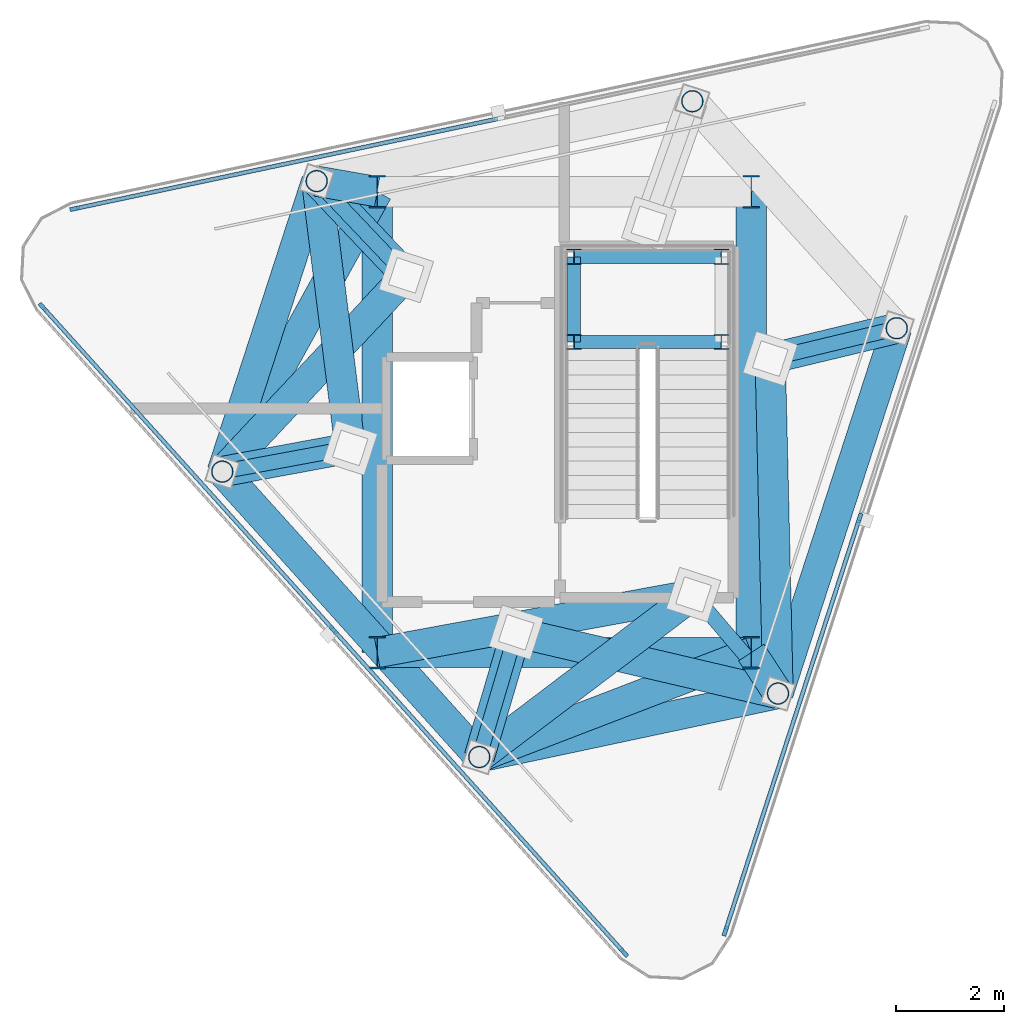
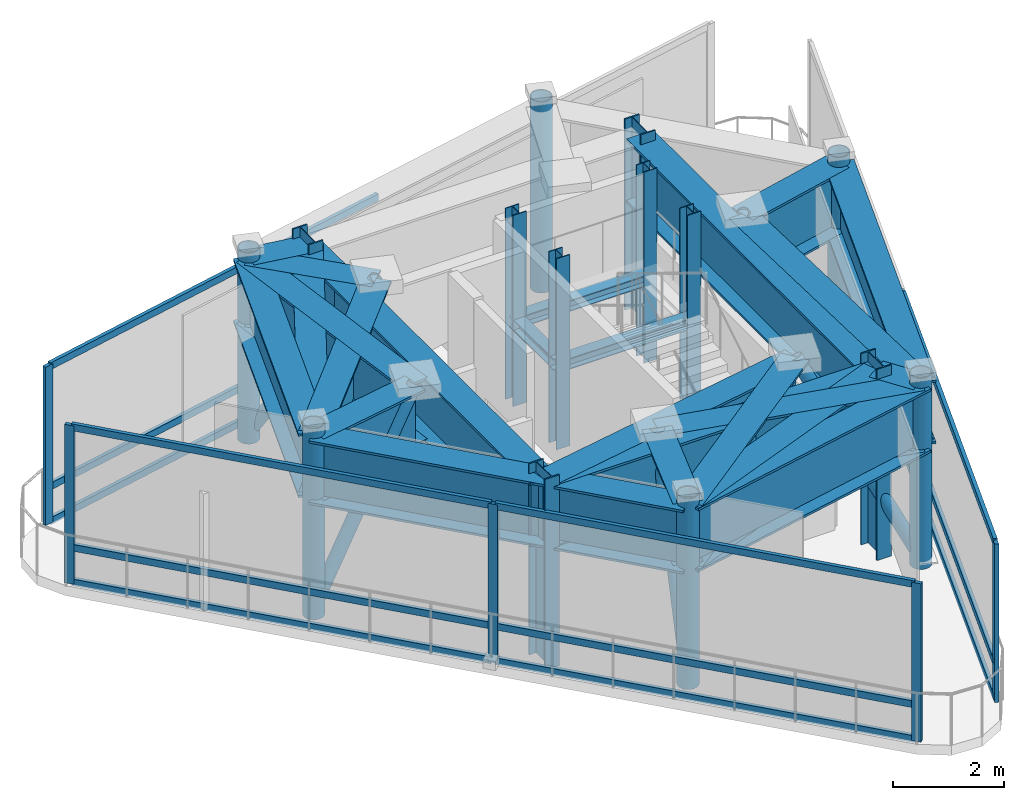
# One storey, part 1 of 4: 24 beams, 23 members, 14 columns, 3 elements without a shape of their own.
"""IFC4 building model written with IfcOpenShell, lengths in metres."""

from ifc_helpers import new_model, si_unit, direction, frame, origin, origin_2d, place, context, subcontext, project, spatial, rectangle, hollow_circle, i_section, extrude, material, layer, layer_set, material_profile, profile_set, type_object, element, aggregate, save


model = new_model("IFC4")

# Units and contexts
model_context = context("Model", 3, precision=1e-05, world=origin(), true_north=direction((0.0, 1.0)))
body_context = subcontext(model_context, "Body", "Model", "MODEL_VIEW")
ifc_project = project(units=[si_unit("LENGTHUNIT", "METRE"), si_unit("AREAUNIT", "SQUARE_METRE"), si_unit("VOLUMEUNIT", "CUBIC_METRE"), si_unit("PLANEANGLEUNIT", "RADIAN"), si_unit("MASSUNIT", "GRAM", prefix="KILO")], contexts=[model_context])

# Site, building, storey
site_placement = place(None, origin())
site = spatial("IfcSite", under=ifc_project, at=site_placement, CompositionType="ELEMENT")
building_placement = place(site_placement, origin())
building = spatial("IfcBuilding", under=site, at=building_placement, Name="Terralouvre Media Tower", CompositionType="ELEMENT")
storey_placement = place(building_placement, frame((0.0, 0.0, 335.0)))
storey = spatial("IfcBuildingStorey", under=building, at=storey_placement, Name="L86", CompositionType="ELEMENT", Elevation=335.0)

# Columns
ifc_material_1 = material(Name="Structural steel S355J2", Category="steel")
ifc_material_profile_1 = material_profile(ifc_material_1, i_section(OverallWidth=0.280029296875, OverallDepth=0.280029296875, WebThickness=0.010498046875, FlangeThickness=0.01806640625, at=origin_2d()), Name="HEB 280")
ifc_profile_set_1 = profile_set([ifc_material_profile_1], Name="Structural steel S355J2")
column_type_1 = type_object("IfcColumnType", Name="Basement Aisle Pilaster PL-HEB280 (HEB 280)", PredefinedType="PILASTER", material=ifc_profile_set_1)
for number, where, z_axis, x_axis, name in (
    (1, (0.179931640625, 1.47998046875, 0.0), (0.0, 0.0, 1.0), (1.0, 0.0, 0.0), "L86 Crown Stair Landing Post ST5LP1"),
    (2, (2.89990234375, 1.47998046875, 0.0), (0.0, 0.0, 1.0), (1.0, 0.0, 0.0), "L86 Crown Stair Landing Post ST5LP2"),
    (3, (0.179931640625, 3.050048828125, 0.0), (0.0, 0.0, 1.0), (1.0, 0.0, 0.0), "L86 Crown Stair Landing Post ST5LP3"),
    (4, (2.89990234375, 3.050048828125, 0.0), (0.0, 0.0, 1.0), (1.0, 0.0, 0.0), "L86 Crown Stair Landing Post ST5LP4"),
):
    element("IfcColumn", number, at=place(storey_placement, frame(where, z_axis=z_axis, x_axis=x_axis)), inside=storey, type_object=column_type_1, Name=name, PredefinedType="PILASTER", context=body_context, shape_type="SweptSolid", body=[
        extrude(i_section(OverallWidth=0.280029296875, OverallDepth=0.280029296875, WebThickness=0.010498046875, FlangeThickness=0.01806640625, at=origin_2d()), origin(), (0.0, 0.0, 1.0), 4.199951171875),
    ])
ifc_material_2 = material(Name="Structural steel S460M", Category="steel")
ifc_material_profile_2 = material_profile(ifc_material_2, hollow_circle(Radius=0.203125, WallThickness=0.02001953125, at=origin_2d()), Name="CHS 406.4x20")
ifc_profile_set_2 = profile_set([ifc_material_profile_2], Name="Structural steel S460M")
column_type_2 = type_object("IfcColumnType", Name="Structural Column C-CHS406 (CHS 406.4x20)", PredefinedType="COLUMN", material=ifc_profile_set_2)
for number, where, z_axis, x_axis, name in (
    (5, (3.94384765625, -5.005615234375, 0.0), (0.0, 0.0, 1.0), (0.309016994375, 0.951056516295, 0.0), "L86 Perimeter Mega-Column CC11"),
    (6, (6.1328125, 1.731689453125, 0.0), (0.0, 0.0, 1.0), (0.309016994375, 0.951056516295, 0.0), "L86 Perimeter Mega-Column CC12"),
    (7, (2.363037109375, 5.918212890625, 0.0), (0.0, 0.0, 1.0), (0.309016994375, 0.951056516295, 0.0), "L86 Perimeter Mega-Column CC21"),
    (8, (-4.566162109375, 4.445556640625, 0.0), (0.0, 0.0, 1.0), (0.309016994375, 0.951056516295, 0.0), "L86 Perimeter Mega-Column CC22"),
    (9, (-6.306884765625, -0.91259765625, 0.0), (0.0, 0.0, 1.0), (0.309016994375, 0.951056516295, 0.0), "L86 Perimeter Mega-Column CC31"),
    (10, (-1.56689453125, -6.177001953125, 0.0), (0.0, 0.0, 1.0), (0.309016994375, 0.951056516295, 0.0), "L86 Perimeter Mega-Column CC32"),
):
    element("IfcColumn", number, at=place(storey_placement, frame(where, z_axis=z_axis, x_axis=x_axis)), inside=storey, type_object=column_type_2, Name=name, PredefinedType="COLUMN", context=body_context, shape_type="SweptSolid", body=[
        extrude(hollow_circle(Radius=0.203125, WallThickness=0.02001953125, at=origin_2d()), origin(), (0.0, 0.0, 1.0), 4.199951171875),
    ])
ifc_material_3 = material(Name="Structural steel S460M", Category="steel")
ifc_material_profile_3 = material_profile(ifc_material_3, i_section(OverallWidth=0.300048828125, OverallDepth=0.60009765625, WebThickness=0.015380859375, FlangeThickness=0.030029296875, at=origin_2d()), Name="HEB 600")
ifc_profile_set_3 = profile_set([ifc_material_profile_3], Name="Structural steel S460M")
column_type_3 = type_object("IfcColumnType", Name="Structural Column C-HEB600 (HEB 600)", PredefinedType="COLUMN", material=ifc_profile_set_3)
for number, where, z_axis, x_axis, name in (
    (11, (-3.449951171875, -4.25, 0.0), (0.0, 0.0, 1.0), (1.0, 0.0, 0.0), "L86 Core Pilaster Column CP1"),
    (12, (3.449951171875, -4.25, 0.0), (0.0, 0.0, 1.0), (1.0, 0.0, 0.0), "L86 Core Pilaster Column CP3"),
    (13, (3.449951171875, 4.25, 0.0), (0.0, 0.0, 1.0), (1.0, 0.0, 0.0), "L86 Core Pilaster Column CP5"),
    (14, (-3.449951171875, 4.25, 0.0), (0.0, 0.0, 1.0), (1.0, 0.0, 0.0), "L86 Core Pilaster Column CP7"),
):
    element("IfcColumn", number, at=place(storey_placement, frame(where, z_axis=z_axis, x_axis=x_axis)), inside=storey, type_object=column_type_3, Name=name, PredefinedType="COLUMN", context=body_context, shape_type="SweptSolid", body=[
        extrude(i_section(OverallWidth=0.300048828125, OverallDepth=0.60009765625, WebThickness=0.015380859375, FlangeThickness=0.030029296875, at=origin_2d()), origin(), (0.0, 0.0, 1.0), 4.199951171875),
    ])

# Curtain wall, members
ifc_material_4 = material(Name="Low-iron laminated double glazing with solar-control coating", Category="glass")
ifc_layer = layer(ifc_material_4, 0.1650390625, Name="Faceted Glass-Point Crown Curtain Wall CW-06")
ifc_layer_set = layer_set([ifc_layer], Name="Low-iron laminated double glazing with solar-control coating")
curtain_wall_type = type_object("IfcCurtainWallType", Name="Faceted Glass-Point Crown Curtain Wall CW-06", PredefinedType="NOTDEFINED", material=ifc_layer_set)
curtain_wall_1_placement = place(storey_placement, origin())
curtain_wall_1 = element("IfcCurtainWall", 15, at=curtain_wall_1_placement, inside=storey, type_object=curtain_wall_type, Name="L86 Facade Curtain Wall F0", PredefinedType="NOTDEFINED")
ifc_material_5 = material(Name="Anodised extruded aluminium 6063-T6", Category="aluminium")
ifc_material_profile_4 = material_profile(ifc_material_5, rectangle(XDim=0.074951171875, YDim=0.14990234375, at=origin_2d()), Name="ALU 75x150")
ifc_profile_set_4 = profile_set([ifc_material_profile_4], Name="Anodised extruded aluminium 6063-T6")
member_type_1 = type_object("IfcMemberType", Name="Curtain-Wall Horizontal Transom TR-150", PredefinedType="USERDEFINED", material=ifc_profile_set_4)
member_1_placement = place(storey_placement, frame((2.98291015625, -9.354736328125, 0.03759765625), z_axis=(0.309021392034, 0.951055087398, 0.0), x_axis=(-0.951055087398, 0.309021392034, 0.0)))
member_1 = element("IfcMember", 16, at=member_1_placement, type_object=member_type_1, Name="CW-06 transom 1.1", ObjectType="TRANSOM", PredefinedType="USERDEFINED", context=body_context, shape_type="SweptSolid", body=[
    extrude(rectangle(XDim=0.074951171875, YDim=0.14990234375, at=origin_2d()), origin(), (0.0, 0.0, 1.0), 7.9375),
])
member_2_placement = place(storey_placement, frame((2.98291015625, -9.354736328125, 0.800048828125), z_axis=(0.309021392034, 0.951055087398, 0.0), x_axis=(-0.951055087398, 0.309021392034, 0.0)))
member_2 = element("IfcMember", 17, at=member_2_placement, type_object=member_type_1, Name="CW-06 transom 1.2", ObjectType="TRANSOM", PredefinedType="USERDEFINED", context=body_context, shape_type="SweptSolid", body=[
    extrude(rectangle(XDim=0.074951171875, YDim=0.14990234375, at=origin_2d()), origin(), (0.0, 0.0, 1.0), 7.9375),
])
member_3_placement = place(storey_placement, frame((2.98291015625, -9.354736328125, 3.4423828125), z_axis=(0.309021392034, 0.951055087398, 0.0), x_axis=(-0.951055087398, 0.309021392034, 0.0)))
member_3 = element("IfcMember", 18, at=member_3_placement, type_object=member_type_1, Name="CW-06 transom 1.3", ObjectType="TRANSOM", PredefinedType="USERDEFINED", context=body_context, shape_type="SweptSolid", body=[
    extrude(rectangle(XDim=0.074951171875, YDim=0.14990234375, at=origin_2d()), origin(), (0.0, 0.0, 1.0), 7.9375),
])

curtain_wall_2_placement = place(storey_placement, origin())
curtain_wall_2 = element("IfcCurtainWall", 19, at=curtain_wall_2_placement, inside=storey, type_object=curtain_wall_type, Name="L86 Facade Curtain Wall F1", PredefinedType="NOTDEFINED")
member_4_placement = place(storey_placement, frame((-1.2275390625, 5.5947265625, 0.03759765625), z_axis=(-0.978145872887, -0.207919819531, 0.0), x_axis=(0.207919819531, -0.978145872887, 0.0)))
member_4 = element("IfcMember", 20, at=member_4_placement, type_object=member_type_1, Name="CW-06 transom 2.1", ObjectType="TRANSOM", PredefinedType="USERDEFINED", context=body_context, shape_type="SweptSolid", body=[
    extrude(rectangle(XDim=0.074951171875, YDim=0.14990234375, at=origin_2d()), origin(), (0.0, 0.0, 1.0), 7.937744140625),
])
member_5_placement = place(storey_placement, frame((-1.2275390625, 5.5947265625, 0.800048828125), z_axis=(-0.978145872887, -0.207919819531, 0.0), x_axis=(0.207919819531, -0.978145872887, 0.0)))
member_5 = element("IfcMember", 21, at=member_5_placement, type_object=member_type_1, Name="CW-06 transom 2.2", ObjectType="TRANSOM", PredefinedType="USERDEFINED", context=body_context, shape_type="SweptSolid", body=[
    extrude(rectangle(XDim=0.074951171875, YDim=0.14990234375, at=origin_2d()), origin(), (0.0, 0.0, 1.0), 7.937744140625),
])
member_6_placement = place(storey_placement, frame((-1.2275390625, 5.5947265625, 3.4423828125), z_axis=(-0.978145872887, -0.207919819531, 0.0), x_axis=(0.207919819531, -0.978145872887, 0.0)))
member_6 = element("IfcMember", 22, at=member_6_placement, type_object=member_type_1, Name="CW-06 transom 2.3", ObjectType="TRANSOM", PredefinedType="USERDEFINED", context=body_context, shape_type="SweptSolid", body=[
    extrude(rectangle(XDim=0.074951171875, YDim=0.14990234375, at=origin_2d()), origin(), (0.0, 0.0, 1.0), 7.937744140625),
])

curtain_wall_3_placement = place(storey_placement, origin())
curtain_wall_3 = element("IfcCurtainWall", 23, at=curtain_wall_3_placement, inside=storey, type_object=curtain_wall_type, Name="L86 Facade Curtain Wall F2", PredefinedType="NOTDEFINED")
member_7_placement = place(storey_placement, frame((-9.5927734375, 2.093994140625, 0.03759765625), z_axis=(0.669136345815, -0.743139657607, 0.0), x_axis=(0.743139657607, 0.669136345815, 0.0)))
member_7 = element("IfcMember", 24, at=member_7_placement, type_object=member_type_1, Name="CW-06 transom 1.1", ObjectType="TRANSOM", PredefinedType="USERDEFINED", context=body_context, shape_type="SweptSolid", body=[
    extrude(rectangle(XDim=0.074951171875, YDim=0.14990234375, at=origin_2d()), origin(), (0.0, 0.0, 1.0), 7.9375),
])
member_8_placement = place(storey_placement, frame((-9.5927734375, 2.093994140625, 0.800048828125), z_axis=(0.669136345815, -0.743139657607, 0.0), x_axis=(0.743139657607, 0.669136345815, 0.0)))
member_8 = element("IfcMember", 25, at=member_8_placement, type_object=member_type_1, Name="CW-06 transom 1.2", ObjectType="TRANSOM", PredefinedType="USERDEFINED", context=body_context, shape_type="SweptSolid", body=[
    extrude(rectangle(XDim=0.074951171875, YDim=0.14990234375, at=origin_2d()), origin(), (0.0, 0.0, 1.0), 7.9375),
])
member_9_placement = place(storey_placement, frame((-9.5927734375, 2.093994140625, 3.4423828125), z_axis=(0.669136345815, -0.743139657607, 0.0), x_axis=(0.743139657607, 0.669136345815, 0.0)))
member_9 = element("IfcMember", 26, at=member_9_placement, type_object=member_type_1, Name="CW-06 transom 1.3", ObjectType="TRANSOM", PredefinedType="USERDEFINED", context=body_context, shape_type="SweptSolid", body=[
    extrude(rectangle(XDim=0.074951171875, YDim=0.14990234375, at=origin_2d()), origin(), (0.0, 0.0, 1.0), 7.9375),
])
member_10_placement = place(storey_placement, frame((-4.2314453125, -3.8603515625, 0.03759765625), z_axis=(0.669136345815, -0.743139657607, 0.0), x_axis=(0.743139657607, 0.669136345815, 0.0)))
member_10 = element("IfcMember", 27, at=member_10_placement, type_object=member_type_1, Name="CW-06 transom 2.1", ObjectType="TRANSOM", PredefinedType="USERDEFINED", context=body_context, shape_type="SweptSolid", body=[
    extrude(rectangle(XDim=0.074951171875, YDim=0.14990234375, at=origin_2d()), origin(), (0.0, 0.0, 1.0), 7.9375),
])
member_11_placement = place(storey_placement, frame((-4.2314453125, -3.8603515625, 0.800048828125), z_axis=(0.669136345815, -0.743139657607, 0.0), x_axis=(0.743139657607, 0.669136345815, 0.0)))
member_11 = element("IfcMember", 28, at=member_11_placement, type_object=member_type_1, Name="CW-06 transom 2.2", ObjectType="TRANSOM", PredefinedType="USERDEFINED", context=body_context, shape_type="SweptSolid", body=[
    extrude(rectangle(XDim=0.074951171875, YDim=0.14990234375, at=origin_2d()), origin(), (0.0, 0.0, 1.0), 7.9375),
])
member_12_placement = place(storey_placement, frame((-4.2314453125, -3.8603515625, 3.4423828125), z_axis=(0.669136345815, -0.743139657607, 0.0), x_axis=(0.743139657607, 0.669136345815, 0.0)))
member_12 = element("IfcMember", 29, at=member_12_placement, type_object=member_type_1, Name="CW-06 transom 2.3", ObjectType="TRANSOM", PredefinedType="USERDEFINED", context=body_context, shape_type="SweptSolid", body=[
    extrude(rectangle(XDim=0.074951171875, YDim=0.14990234375, at=origin_2d()), origin(), (0.0, 0.0, 1.0), 7.9375),
])

# Member
ifc_material_6 = material(Name="Anodised extruded aluminium 6063-T6", Category="aluminium")
ifc_material_profile_5 = material_profile(ifc_material_6, rectangle(XDim=0.074951171875, YDim=0.179931640625, at=origin_2d()), Name="ALU 75x180")
ifc_profile_set_5 = profile_set([ifc_material_profile_5], Name="Anodised extruded aluminium 6063-T6")
member_type_2 = type_object("IfcMemberType", Name="Curtain-Wall Vertical Mullion ML-180", PredefinedType="MULLION", material=ifc_profile_set_5)
member_13_placement = place(storey_placement, frame((2.971435546875, -9.390380859375, 0.0), z_axis=(0.0, 0.0, 1.0), x_axis=(-0.951056582704, 0.309016789991, 0.0)))
member_13 = element("IfcMember", 30, at=member_13_placement, type_object=member_type_2, Name="CW-06 mullion 1", PredefinedType="MULLION", context=body_context, shape_type="SweptSolid", body=[
    extrude(rectangle(XDim=0.074951171875, YDim=0.179931640625, at=origin_2d()), origin(), (0.0, 0.0, 1.0), 3.47998046875),
])

member_14_placement = place(storey_placement, frame((5.447265625, -1.77001953125, 0.0), z_axis=(0.0, 0.0, 1.0), x_axis=(-0.951056582704, 0.309016789991, 0.0)))
member_14 = element("IfcMember", 31, at=member_14_placement, type_object=member_type_2, Name="CW-06 mullion 2", PredefinedType="MULLION", context=body_context, shape_type="SweptSolid", body=[
    extrude(rectangle(XDim=0.074951171875, YDim=0.179931640625, at=origin_2d()), origin(), (0.0, 0.0, 1.0), 3.47998046875),
])

aggregate(curtain_wall_1, [member_13, member_14, member_1, member_2, member_3])

member_15_placement = place(storey_placement, frame((-9.0283203125, 3.9365234375, 0.0), z_axis=(0.0, 0.0, 1.0), x_axis=(0.207911750638, -0.978147588019, 0.0)))
member_15 = element("IfcMember", 32, at=member_15_placement, type_object=member_type_2, Name="CW-06 mullion 3", PredefinedType="MULLION", context=body_context, shape_type="SweptSolid", body=[
    extrude(rectangle(XDim=0.074951171875, YDim=0.179931640625, at=origin_2d()), origin(), (0.0, 0.0, 1.0), 3.47998046875),
])

aggregate(curtain_wall_2, [member_15, member_4, member_5, member_6])

member_16_placement = place(storey_placement, frame((-9.617919921875, 2.121826171875, 0.0), z_axis=(0.0, 0.0, 1.0), x_axis=(0.743145141884, 0.669130254954, 0.0)))
member_16 = element("IfcMember", 33, at=member_16_placement, type_object=member_type_2, Name="CW-06 mullion 1", PredefinedType="MULLION", context=body_context, shape_type="SweptSolid", body=[
    extrude(rectangle(XDim=0.074951171875, YDim=0.179931640625, at=origin_2d()), origin(), (0.0, 0.0, 1.0), 3.47998046875),
])

member_17_placement = place(storey_placement, frame((-4.256591796875, -3.83251953125, 0.0), z_axis=(0.0, 0.0, 1.0), x_axis=(0.743145141884, 0.669130254954, 0.0)))
member_17 = element("IfcMember", 34, at=member_17_placement, type_object=member_type_2, Name="CW-06 mullion 2", PredefinedType="MULLION", context=body_context, shape_type="SweptSolid", body=[
    extrude(rectangle(XDim=0.074951171875, YDim=0.179931640625, at=origin_2d()), origin(), (0.0, 0.0, 1.0), 3.47998046875),
])

member_18_placement = place(storey_placement, frame((1.10498046875, -9.787109375, 0.0), z_axis=(0.0, 0.0, 1.0), x_axis=(0.743145141884, 0.669130254954, 0.0)))
member_18 = element("IfcMember", 35, at=member_18_placement, type_object=member_type_2, Name="CW-06 mullion 3", PredefinedType="MULLION", context=body_context, shape_type="SweptSolid", body=[
    extrude(rectangle(XDim=0.074951171875, YDim=0.179931640625, at=origin_2d()), origin(), (0.0, 0.0, 1.0), 3.47998046875),
])

aggregate(curtain_wall_3, [member_16, member_17, member_18, member_7, member_8, member_9, member_10, member_11, member_12])

# Members
ifc_material_7 = material(Name="Structural steel S355J2", Category="steel")
ifc_material_profile_6 = material_profile(ifc_material_7, hollow_circle(Radius=0.136474609375, WallThickness=0.012451171875, at=origin_2d()), Name="CHS 273x12.5")
ifc_profile_set_6 = profile_set([ifc_material_profile_6], Name="Structural steel S355J2")
member_type_3 = type_object("IfcMemberType", Name="Faceted Crown Rib Rafter RF-CHS273 (CHS 273x12.5)", PredefinedType="RAFTER", material=ifc_profile_set_6)
for number, where, z_axis, x_axis, name in (
    (36, (3.94384765625, -5.005615234375, 0.14990234375), (-0.344696822918, 0.403739861227, 0.84745396614), (-0.760526508617, -0.649306884063, 0.0), "L86 Faceted Glass-Point Crown Rib 19"),
    (37, (6.1328125, 1.731689453125, 0.14990234375), (-0.51616008921, -0.124029677114, 0.847464100421), (0.233642355112, -0.972322605876, 0.0), "L86 Faceted Glass-Point Crown Rib 20"),
    (38, (-4.566162109375, 4.445556640625, 0.14990234375), (0.365543676148, -0.384990362037, 0.8474433562), (0.725184860275, 0.688554223303, 0.0), "L86 Faceted Glass-Point Crown Rib 22"),
    (39, (-6.306884765625, -0.91259765625, 0.14990234375), (0.521990849333, 0.096640963413, 0.847458599227), (-0.18204553364, 0.983290101487, 0.0), "L86 Faceted Glass-Point Crown Rib 23"),
    (40, (-1.56689453125, -6.177001953125, 0.14990234375), (0.150661087297, 0.509028119613, 0.847461863577), (-0.958881224545, 0.283807676457, 0.0), "L86 Faceted Glass-Point Crown Rib 24"),
):
    element("IfcMember", number, at=place(storey_placement, frame(where, z_axis=z_axis, x_axis=x_axis)), inside=storey, type_object=member_type_3, Name=name, PredefinedType="RAFTER", context=body_context, shape_type="SweptSolid", body=[
        extrude(hollow_circle(Radius=0.136474609375, WallThickness=0.012451171875, at=origin_2d()), origin(), (0.0, 0.0, 1.0), 4.51953125),
    ])

# Beams
ifc_material_8 = material(Name="Structural steel S355J2", Category="steel")
ifc_material_profile_7 = material_profile(ifc_material_8, i_section(OverallWidth=0.239990234375, OverallDepth=0.239990234375, WebThickness=0.010009765625, FlangeThickness=0.01708984375, at=origin_2d()), Name="HEB 240")
ifc_profile_set_7 = profile_set([ifc_material_profile_7], Name="Structural steel S355J2")
beam_type_1 = type_object("IfcBeamType", Name="Opening Lintel Beam LN-240H (HEB 240)", PredefinedType="LINTEL", material=ifc_profile_set_7)
for number, where, z_axis, x_axis, name in (
    (41, (0.179931640625, 1.47998046875, 1.780029296875), (1.0, 0.0, 0.0), (0.0, 1.0, 0.0), "L86 ST-05 Landing Support Beam 1S"),
    (42, (0.179931640625, 3.050048828125, 1.780029296875), (1.0, 0.0, 0.0), (0.0, 1.0, 0.0), "L86 ST-05 Landing Support Beam 1N"),
):
    element("IfcBeam", number, at=place(storey_placement, frame(where, z_axis=z_axis, x_axis=x_axis)), inside=storey, type_object=beam_type_1, Name=name, PredefinedType="LINTEL", context=body_context, shape_type="SweptSolid", body=[
        extrude(i_section(OverallWidth=0.239990234375, OverallDepth=0.239990234375, WebThickness=0.010009765625, FlangeThickness=0.01708984375, at=origin_2d()), origin(), (0.0, 0.0, 1.0), 2.719970703125),
    ])
beam_1_placement = place(storey_placement, frame((0.179931640625, 1.47998046875, 1.780029296875), z_axis=(0.0, 1.0, 0.0), x_axis=(-1.0, 0.0, 0.0)))
element("IfcBeam", 43, at=beam_1_placement, inside=storey, type_object=beam_type_1, Name="L86 ST-05 Landing Support Beam 1WC", PredefinedType="LINTEL", context=body_context, shape_type="SweptSolid", body=[
    extrude(i_section(OverallWidth=0.239990234375, OverallDepth=0.239990234375, WebThickness=0.010009765625, FlangeThickness=0.01708984375, at=origin_2d()), origin(), (0.0, 0.0, 1.0), 1.570068359375),
])
ifc_material_9 = material(Name="Structural steel S460M", Category="steel")
ifc_material_profile_8 = material_profile(ifc_material_9, i_section(OverallWidth=0.56005859375, OverallDepth=1.39990234375, WebThickness=0.031982421875, FlangeThickness=0.050048828125, at=origin_2d()), Name="TG 1400x560")
ifc_profile_set_8 = profile_set([ifc_material_profile_8], Name="Structural steel S460M")
beam_type_2 = type_object("IfcBeamType", Name="Welded Transfer Girder TG-1400 (TG 1400x560)", PredefinedType="USERDEFINED", material=ifc_profile_set_8)
beam_2_placement = place(storey_placement, frame((-3.449951171875, -4.25, 3.280029296875), z_axis=(1.0, 0.0, 0.0), x_axis=(0.0, 1.0, 0.0)))
element("IfcBeam", 44, at=beam_2_placement, inside=storey, type_object=beam_type_2, Name="L86 Framing Beam BM-L86-CR01", ObjectType="TRANSFER GIRDER", PredefinedType="USERDEFINED", context=body_context, shape_type="SweptSolid", body=[
    extrude(i_section(OverallWidth=0.56005859375, OverallDepth=1.39990234375, WebThickness=0.031982421875, FlangeThickness=0.050048828125, at=origin_2d()), origin(), (0.0, 0.0, 1.0), 6.89990234375),
])
for number, where, z_axis, x_axis, name in (
    (45, (3.449951171875, -4.25, 3.280029296875), (0.0, 1.0, 0.0), (-1.0, 0.0, 0.0), "L86 Framing Beam BM-L86-CR02"),
    (46, (-3.449951171875, 4.25, 3.280029296875), (0.0, -1.0, 0.0), (1.0, 0.0, 0.0), "L86 Framing Beam BM-L86-CR04"),
):
    element("IfcBeam", number, at=place(storey_placement, frame(where, z_axis=z_axis, x_axis=x_axis)), inside=storey, type_object=beam_type_2, Name=name, ObjectType="TRANSFER GIRDER", PredefinedType="USERDEFINED", context=body_context, shape_type="SweptSolid", body=[
        extrude(i_section(OverallWidth=0.56005859375, OverallDepth=1.39990234375, WebThickness=0.031982421875, FlangeThickness=0.050048828125, at=origin_2d()), origin(), (0.0, 0.0, 1.0), 8.5),
    ])
beam_3_placement = place(storey_placement, frame((-6.306884765625, -0.91259765625, 3.280029296875), z_axis=(0.669122756829, -0.74315189315, 0.0), x_axis=(0.74315189315, 0.669122756829, 0.0)))
element("IfcBeam", 47, at=beam_3_placement, inside=storey, type_object=beam_type_2, Name="L86 Framing Beam BM-L86-PR01", ObjectType="TRANSFER GIRDER", PredefinedType="USERDEFINED", context=body_context, shape_type="SweptSolid", body=[
    extrude(i_section(OverallWidth=0.56005859375, OverallDepth=1.39990234375, WebThickness=0.031982421875, FlangeThickness=0.050048828125, at=origin_2d()), origin(), (0.0, 0.0, 1.0), 7.083984375),
])
beam_4_placement = place(storey_placement, frame((-1.56689453125, -6.177001953125, 3.280029296875), z_axis=(0.978146073527, 0.207918875633, 0.0), x_axis=(-0.207918875633, 0.978146073527, 0.0)))
element("IfcBeam", 48, at=beam_4_placement, inside=storey, type_object=beam_type_2, Name="L86 Framing Beam BM-L86-PR02", ObjectType="TRANSFER GIRDER", PredefinedType="USERDEFINED", context=body_context, shape_type="SweptSolid", body=[
    extrude(i_section(OverallWidth=0.56005859375, OverallDepth=1.39990234375, WebThickness=0.031982421875, FlangeThickness=0.050048828125, at=origin_2d()), origin(), (0.0, 0.0, 1.0), 5.6337890625),
])
beam_5_placement = place(storey_placement, frame((3.94384765625, -5.005615234375, 3.280029296875), z_axis=(0.309001908683, 0.951061417801, 0.0), x_axis=(-0.951061417801, 0.309001908683, 0.0)))
element("IfcBeam", 49, at=beam_5_placement, inside=storey, type_object=beam_type_2, Name="L86 Framing Beam BM-L86-PR03", ObjectType="TRANSFER GIRDER", PredefinedType="USERDEFINED", context=body_context, shape_type="SweptSolid", body=[
    extrude(i_section(OverallWidth=0.56005859375, OverallDepth=1.39990234375, WebThickness=0.031982421875, FlangeThickness=0.050048828125, at=origin_2d()), origin(), (0.0, 0.0, 1.0), 7.083984375),
])
beam_6_placement = place(storey_placement, frame((-4.566162109375, 4.445556640625, 3.280029296875), z_axis=(-0.308977304559, -0.951069411382, 0.0), x_axis=(0.951069411382, -0.308977304559, 0.0)))
element("IfcBeam", 50, at=beam_6_placement, inside=storey, type_object=beam_type_2, Name="L86 Framing Beam BM-L86-PR06", ObjectType="TRANSFER GIRDER", PredefinedType="USERDEFINED", context=body_context, shape_type="SweptSolid", body=[
    extrude(i_section(OverallWidth=0.56005859375, OverallDepth=1.39990234375, WebThickness=0.031982421875, FlangeThickness=0.050048828125, at=origin_2d()), origin(), (0.0, 0.0, 1.0), 5.6337890625),
])
beam_7_placement = place(storey_placement, frame((-3.449951171875, 4.25, 3.280029296875), z_axis=(-0.484194847582, -0.874960198852, 0.0), x_axis=(0.874960198852, -0.484194847582, 0.0)))
element("IfcBeam", 51, at=beam_7_placement, inside=storey, type_object=beam_type_2, Name="L86 Framing Beam BM-L86-RD01", ObjectType="TRANSFER GIRDER", PredefinedType="USERDEFINED", context=body_context, shape_type="SweptSolid", body=[
    extrude(i_section(OverallWidth=0.56005859375, OverallDepth=1.39990234375, WebThickness=0.031982421875, FlangeThickness=0.050048828125, at=origin_2d()), origin(), (0.0, 0.0, 1.0), 5.900390625),
])
beam_8_placement = place(storey_placement, frame((3.449951171875, -4.25, 3.280029296875), z_axis=(-0.933504747362, -0.358565038247, 0.0), x_axis=(0.358565038247, -0.933504747362, 0.0)))
element("IfcBeam", 52, at=beam_8_placement, inside=storey, type_object=beam_type_2, Name="L86 Framing Beam BM-L86-RD02", ObjectType="TRANSFER GIRDER", PredefinedType="USERDEFINED", context=body_context, shape_type="SweptSolid", body=[
    extrude(i_section(OverallWidth=0.56005859375, OverallDepth=1.39990234375, WebThickness=0.031982421875, FlangeThickness=0.050048828125, at=origin_2d()), origin(), (0.0, 0.0, 1.0), 5.374267578125),
])
beam_9_placement = place(storey_placement, frame((3.449951171875, -4.25, 3.280029296875), z_axis=(0.547125481319, -0.837050600437, 0.0), x_axis=(0.837050600437, 0.547125481319, 0.0)))
element("IfcBeam", 53, at=beam_9_placement, inside=storey, type_object=beam_type_2, Name="L86 Framing Beam BM-L86-RD03", ObjectType="TRANSFER GIRDER", PredefinedType="USERDEFINED", context=body_context, shape_type="SweptSolid", body=[
    extrude(i_section(OverallWidth=0.56005859375, OverallDepth=1.39990234375, WebThickness=0.031982421875, FlangeThickness=0.050048828125, at=origin_2d()), origin(), (0.0, 0.0, 1.0), 0.90283203125),
])
beam_10_placement = place(storey_placement, frame((-3.449951171875, 4.25, 3.280029296875), z_axis=(-0.984997525477, 0.172568464109, 0.0), x_axis=(-0.172568464109, -0.984997525477, 0.0)))
element("IfcBeam", 54, at=beam_10_placement, inside=storey, type_object=beam_type_2, Name="L86 Framing Beam BM-L86-RD06", ObjectType="TRANSFER GIRDER", PredefinedType="USERDEFINED", context=body_context, shape_type="SweptSolid", body=[
    extrude(i_section(OverallWidth=0.56005859375, OverallDepth=1.39990234375, WebThickness=0.031982421875, FlangeThickness=0.050048828125, at=origin_2d()), origin(), (0.0, 0.0, 1.0), 1.13330078125),
])
beam_11_placement = place(storey_placement, frame((2.385986328125, -3.180908203125, 3.280029296875), z_axis=(-0.796947820366, -0.60404815339, 0.0), x_axis=(0.60404815339, -0.796947820366, 0.0)))
element("IfcBeam", 55, at=beam_11_placement, inside=storey, type_object=beam_type_2, Name="L86 Framing Beam BM-L86-TR01S1", ObjectType="TRANSFER GIRDER", PredefinedType="USERDEFINED", context=body_context, shape_type="SweptSolid", body=[
    extrude(i_section(OverallWidth=0.56005859375, OverallDepth=1.39990234375, WebThickness=0.031982421875, FlangeThickness=0.050048828125, at=origin_2d()), origin(), (0.0, 0.0, 1.0), 4.9599609375),
])
beam_12_placement = place(storey_placement, frame((2.385986328125, -3.180908203125, 3.280029296875), z_axis=(-0.983631363674, -0.180192509267, 0.0), x_axis=(0.180192509267, -0.983631363674, 0.0)))
element("IfcBeam", 56, at=beam_12_placement, inside=storey, type_object=beam_type_2, Name="L86 Framing Beam BM-L86-TR01S2", ObjectType="TRANSFER GIRDER", PredefinedType="USERDEFINED", context=body_context, shape_type="SweptSolid", body=[
    extrude(i_section(OverallWidth=0.56005859375, OverallDepth=1.39990234375, WebThickness=0.031982421875, FlangeThickness=0.050048828125, at=origin_2d()), origin(), (0.0, 0.0, 1.0), 5.93310546875),
])
beam_13_placement = place(storey_placement, frame((3.800048828125, 1.171142578125, 3.280029296875), z_axis=(0.972322605876, 0.233642355112, 0.0), x_axis=(-0.233642355112, 0.972322605876, 0.0)))
element("IfcBeam", 57, at=beam_13_placement, inside=storey, type_object=beam_type_2, Name="L86 Framing Beam BM-L86-TR02S1", ObjectType="TRANSFER GIRDER", PredefinedType="USERDEFINED", context=body_context, shape_type="SweptSolid", body=[
    extrude(i_section(OverallWidth=0.56005859375, OverallDepth=1.39990234375, WebThickness=0.031982421875, FlangeThickness=0.050048828125, at=origin_2d()), origin(), (0.0, 0.0, 1.0), 2.399169921875),
])
beam_14_placement = place(storey_placement, frame((3.800048828125, 1.171142578125, 3.280029296875), z_axis=(0.023274326065, -0.999729116184, 0.0), x_axis=(0.999729116184, 0.023274326065, 0.0)))
element("IfcBeam", 58, at=beam_14_placement, inside=storey, type_object=beam_type_2, Name="L86 Framing Beam BM-L86-TR02S2", ObjectType="TRANSFER GIRDER", PredefinedType="USERDEFINED", context=body_context, shape_type="SweptSolid", body=[
    extrude(i_section(OverallWidth=0.56005859375, OverallDepth=1.39990234375, WebThickness=0.031982421875, FlangeThickness=0.050048828125, at=origin_2d()), origin(), (0.0, 0.0, 1.0), 6.178466796875),
])
beam_15_placement = place(storey_placement, frame((-2.9140625, 2.70556640625, 3.280029296875), z_axis=(-0.688554223303, 0.725184860275, 0.0), x_axis=(-0.725184860275, -0.688554223303, 0.0)))
element("IfcBeam", 59, at=beam_15_placement, inside=storey, type_object=beam_type_2, Name="L86 Framing Beam BM-L86-TR04S1", ObjectType="TRANSFER GIRDER", PredefinedType="USERDEFINED", context=body_context, shape_type="SweptSolid", body=[
    extrude(i_section(OverallWidth=0.56005859375, OverallDepth=1.39990234375, WebThickness=0.031982421875, FlangeThickness=0.050048828125, at=origin_2d()), origin(), (0.0, 0.0, 1.0), 2.3994140625),
])
beam_16_placement = place(storey_placement, frame((-2.9140625, 2.70556640625, 3.280029296875), z_axis=(-0.684026263503, -0.729457381098, 0.0), x_axis=(0.729457381098, -0.684026263503, 0.0)))
element("IfcBeam", 60, at=beam_16_placement, inside=storey, type_object=beam_type_2, Name="L86 Framing Beam BM-L86-TR04S2", ObjectType="TRANSFER GIRDER", PredefinedType="USERDEFINED", context=body_context, shape_type="SweptSolid", body=[
    extrude(i_section(OverallWidth=0.56005859375, OverallDepth=1.39990234375, WebThickness=0.031982421875, FlangeThickness=0.050048828125, at=origin_2d()), origin(), (0.0, 0.0, 1.0), 4.9599609375),
])
beam_17_placement = place(storey_placement, frame((-3.94775390625, -0.475830078125, 3.280029296875), z_axis=(-0.983290101487, -0.18204553364, 0.0), x_axis=(0.18204553364, -0.983290101487, 0.0)))
element("IfcBeam", 61, at=beam_17_placement, inside=storey, type_object=beam_type_2, Name="L86 Framing Beam BM-L86-TR05S1", ObjectType="TRANSFER GIRDER", PredefinedType="USERDEFINED", context=body_context, shape_type="SweptSolid", body=[
    extrude(i_section(OverallWidth=0.56005859375, OverallDepth=1.39990234375, WebThickness=0.031982421875, FlangeThickness=0.050048828125, at=origin_2d()), origin(), (0.0, 0.0, 1.0), 2.399169921875),
])
beam_18_placement = place(storey_placement, frame((-3.94775390625, -0.475830078125, 3.280029296875), z_axis=(-0.124676853668, 0.992197400803, 0.0), x_axis=(-0.992197400803, -0.124676853668, 0.0)))
element("IfcBeam", 62, at=beam_18_placement, inside=storey, type_object=beam_type_2, Name="L86 Framing Beam BM-L86-TR05S2", ObjectType="TRANSFER GIRDER", PredefinedType="USERDEFINED", context=body_context, shape_type="SweptSolid", body=[
    extrude(i_section(OverallWidth=0.56005859375, OverallDepth=1.39990234375, WebThickness=0.031982421875, FlangeThickness=0.050048828125, at=origin_2d()), origin(), (0.0, 0.0, 1.0), 4.960205078125),
])
beam_19_placement = place(storey_placement, frame((-0.885986328125, -3.87646484375, 3.280029296875), z_axis=(-0.283807676457, -0.958881224545, 0.0), x_axis=(0.958881224545, -0.283807676457, 0.0)))
element("IfcBeam", 63, at=beam_19_placement, inside=storey, type_object=beam_type_2, Name="L86 Framing Beam BM-L86-TR06S1", ObjectType="TRANSFER GIRDER", PredefinedType="USERDEFINED", context=body_context, shape_type="SweptSolid", body=[
    extrude(i_section(OverallWidth=0.56005859375, OverallDepth=1.39990234375, WebThickness=0.031982421875, FlangeThickness=0.050048828125, at=origin_2d()), origin(), (0.0, 0.0, 1.0), 2.399169921875),
])
beam_20_placement = place(storey_placement, frame((-0.885986328125, -3.87646484375, 3.280029296875), z_axis=(0.973743455342, -0.227648156546, 0.0), x_axis=(0.227648156546, 0.973743455342, 0.0)))
element("IfcBeam", 64, at=beam_20_placement, inside=storey, type_object=beam_type_2, Name="L86 Framing Beam BM-L86-TR06S2", ObjectType="TRANSFER GIRDER", PredefinedType="USERDEFINED", context=body_context, shape_type="SweptSolid", body=[
    extrude(i_section(OverallWidth=0.56005859375, OverallDepth=1.39990234375, WebThickness=0.031982421875, FlangeThickness=0.050048828125, at=origin_2d()), origin(), (0.0, 0.0, 1.0), 4.9599609375),
])

save(model, "model.ifc")
